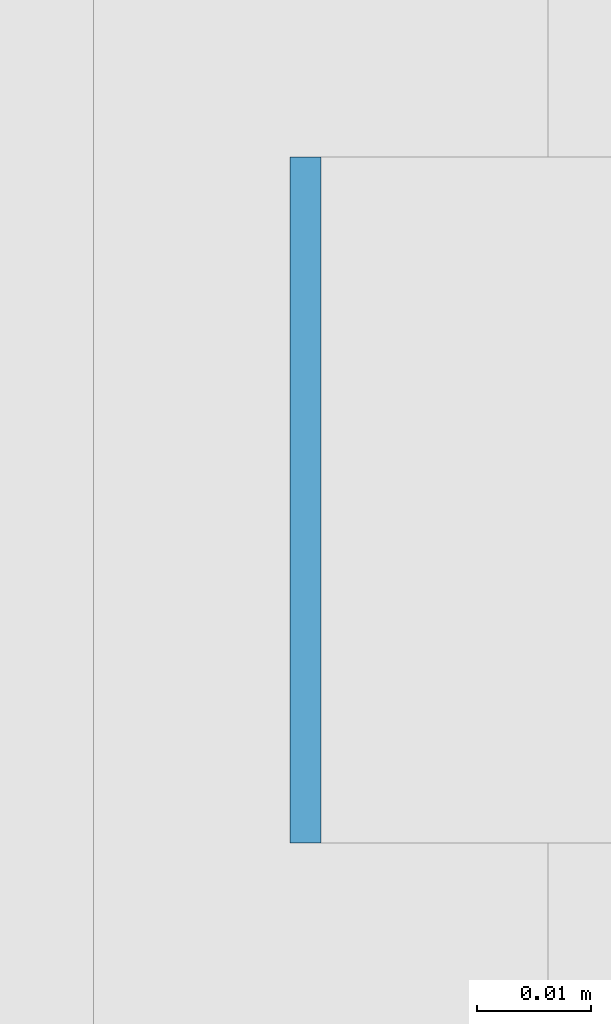
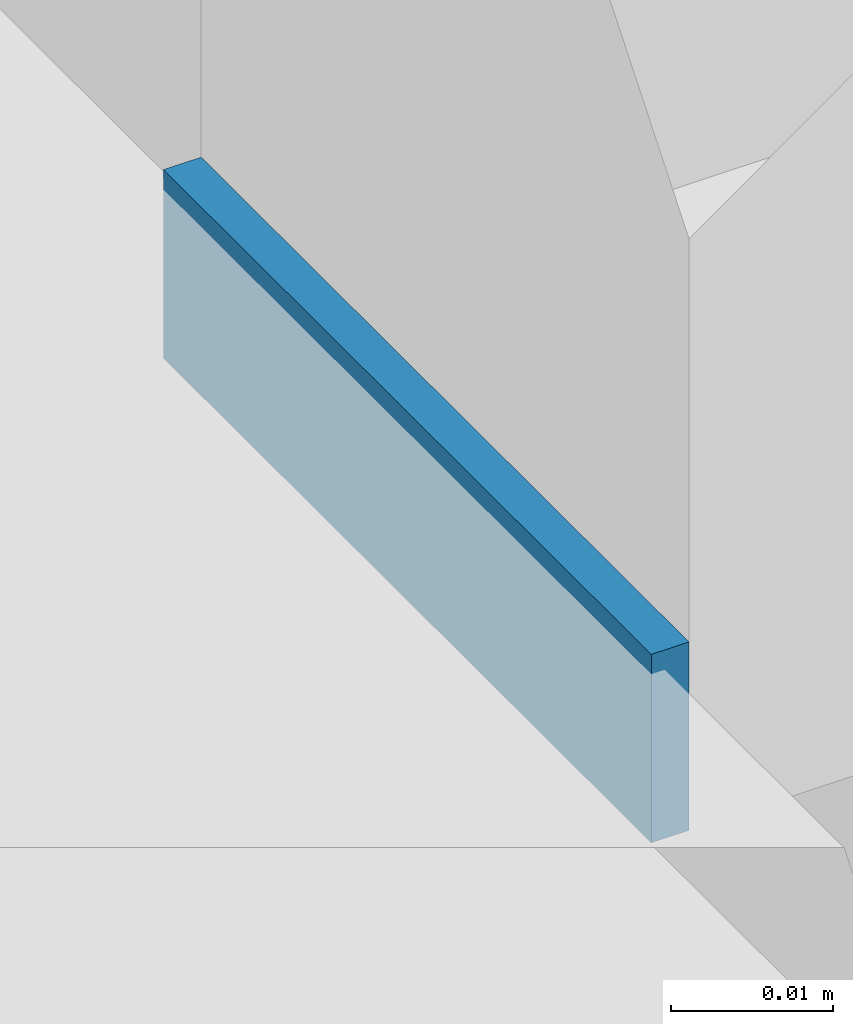
# One storey, part 548 of 646: 1 discrete accessory.
"""IFC4 building model written with IfcOpenShell, lengths in metres."""

from ifc_helpers import new_model, si_unit, direction, frame, origin, origin_2d, place, context, subcontext, project, spatial, rectangle, extrude, material, type_object, element, save


model = new_model("IFC4")

# Units and contexts
model_context = context("Model", 3, precision=1e-05, world=origin(), true_north=direction((0.0, 1.0)))
body_context = subcontext(model_context, "Body", "Model", "MODEL_VIEW")
ifc_project = project(units=[si_unit("LENGTHUNIT", "METRE"), si_unit("AREAUNIT", "SQUARE_METRE"), si_unit("VOLUMEUNIT", "CUBIC_METRE"), si_unit("PLANEANGLEUNIT", "RADIAN"), si_unit("MASSUNIT", "GRAM", prefix="KILO")], contexts=[model_context])

# Site, building, storey
site_placement = place(None, origin())
site = spatial("IfcSite", under=ifc_project, at=site_placement, CompositionType="ELEMENT")
building_placement = place(site_placement, origin())
building = spatial("IfcBuilding", under=site, at=building_placement, Name="Silverbay Arena", CompositionType="ELEMENT")
storey_placement = place(building_placement, frame((0.0, 0.0, 33.5)))
storey = spatial("IfcBuildingStorey", under=building, at=storey_placement, Name="L05", CompositionType="ELEMENT", Elevation=33.5)

# Discrete accessory
ifc_material = material(Name="Steel S355", Category="steel")
discrete_accessory_type = type_object("IfcDiscreteAccessoryType", Name="Steel bracket plate", PredefinedType="BRACKET", material=ifc_material)
discrete_accessory_placement = place(storey_placement, frame((207.128662109375, 93.857177734375, 4.0), z_axis=(0.0, 0.0, 1.0), x_axis=(1.0, 0.0, 0.0)))
element("IfcDiscreteAccessory", 1, at=discrete_accessory_placement, inside=storey, type_object=discrete_accessory_type, Name="Curtain wall packing plate", PredefinedType="BRACKET", context=body_context, shape_type="SweptSolid", body=[
    extrude(rectangle(XDim=0.002685546875, YDim=0.06005859375, at=origin_2d()), origin(), (0.0, 0.0, 1.0), 0.01416015625),
])

save(model, "model.ifc")
